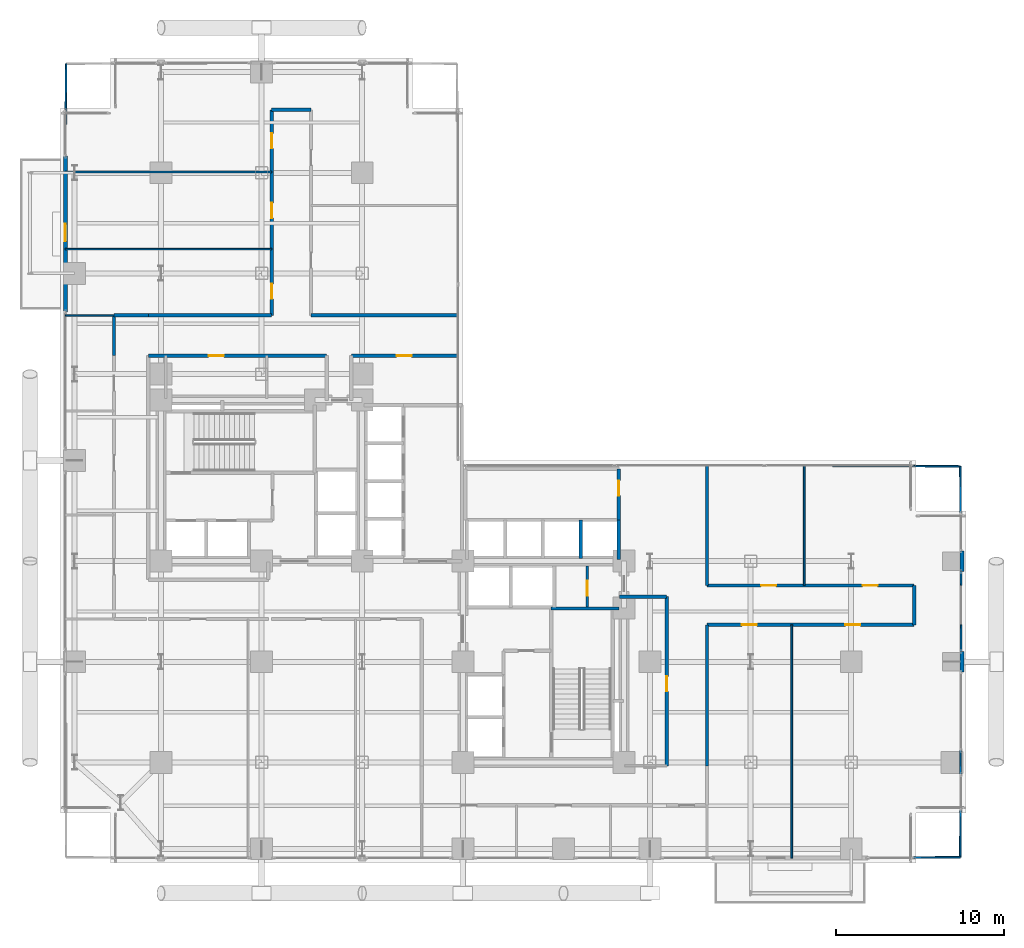
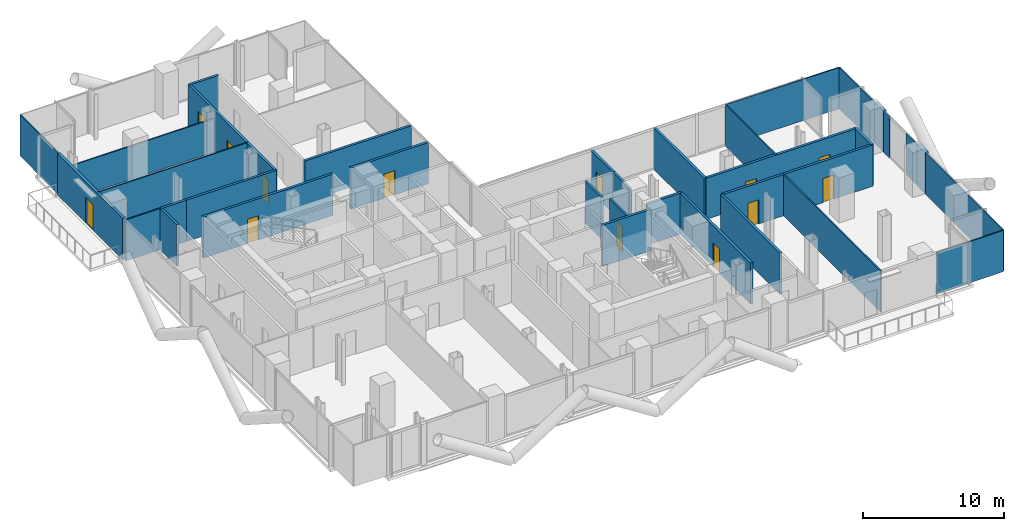
# One storey, part 23 of 27: 35 walls, 13 doors, 13 openings.
"""IFC4 building model written with IfcOpenShell, lengths in metres."""

from ifc_helpers import new_model, si_unit, direction, frame, frame_2d, origin, place, context, subcontext, project, spatial, rectangle, extrude, material, layer, layer_set, type_object, element, fill, save


model = new_model("IFC4")

# Units and contexts
model_context = context("Model", 3, precision=1e-05, world=origin(), true_north=direction((0.0, 1.0)))
body_context = subcontext(model_context, "Body", "Model", "MODEL_VIEW")
ifc_project = project(units=[si_unit("LENGTHUNIT", "METRE"), si_unit("AREAUNIT", "SQUARE_METRE"), si_unit("VOLUMEUNIT", "CUBIC_METRE"), si_unit("PLANEANGLEUNIT", "RADIAN"), si_unit("MASSUNIT", "GRAM", prefix="KILO"), si_unit("THERMODYNAMICTEMPERATUREUNIT", "KELVIN"), si_unit("POWERUNIT", "WATT")], contexts=[model_context])

# Site, building, storey
site_placement = place(None, origin())
site = spatial("IfcSite", under=ifc_project, at=site_placement, CompositionType="ELEMENT")
building_placement = place(site_placement, origin())
building = spatial("IfcBuilding", under=site, at=building_placement, Name="Svarakhadi Broadcast Tower", CompositionType="ELEMENT")
storey_placement = place(building_placement, frame((0.0, 0.0, 90.89990234375)))
storey = spatial("IfcBuildingStorey", under=building, at=storey_placement, Name="L21", CompositionType="ELEMENT", Elevation=90.89990234375)

# Wall, opening, door
ifc_material_1 = material(Name="Concrete C40/50 (IS 456 M50)", Category="concrete")
ifc_layer_1 = layer(ifc_material_1, 0.239990234375)
ifc_layer_set_1 = layer_set([ifc_layer_1], Name="Concrete C40/50 (IS 456 M50)")
wall_type_1 = type_object("IfcWallType", Name="Wall_Ext_240", PredefinedType="SOLIDWALL", material=ifc_layer_set_1)
wall_1_placement = place(storey_placement, frame((0.300048828125, 32.85498046875, 0.0), z_axis=(0.0, 0.0, 1.0), x_axis=(0.0, 1.0, 0.0)))
wall_1 = element("IfcWall", 1, at=wall_1_placement, inside=storey, type_object=wall_type_1, Name="L21 West Tree Balcony Spandrel Wall", PredefinedType="SOLIDWALL", context=body_context, shape_type="SweptSolid", body=[
    extrude(rectangle(XDim=9.2900390625, YDim=0.239990234375, at=frame_2d((4.64501953125, 0.0))), origin(), (0.0, 0.0, 1.0), 3.5751953125),
])
opening_1_placement = place(wall_1_placement, frame((4.199951171875, 0.0, 0.0)))
opening_1 = element("IfcOpeningElement", 2, at=opening_1_placement, cuts=wall_1, Name="Opening ED-06", PredefinedType="OPENING", context=body_context, shape_type="SweptSolid", body=[
    extrude(rectangle(XDim=1.050048828125, YDim=2.199951171875, at=frame_2d((0.52490234375, 1.10009765625))), frame((0.0, 0.1298828125, 0.0), z_axis=(0.0, -1.0, 0.0), x_axis=(1.0, 0.0, 0.0)), (0.0, 0.0, 1.0), 0.260009765625),
])
ifc_material_2 = material(Name="Anodised Bronze Aluminium AA 6063-T6", Category="aluminium")
door_type_1 = type_object("IfcDoorType", Name="Door_Ext_ED06", OperationType="SINGLE_SWING_RIGHT", PredefinedType="DOOR", material=ifc_material_2)
door_1_placement = place(opening_1_placement, origin())
door_1 = element("IfcDoor", 3, at=door_1_placement, inside=storey, type_object=door_type_1, Name="L21 West Tree Balcony Door", OperationType="SINGLE_SWING_RIGHT", OverallHeight=2.199951171875, OverallWidth=1.050048828125, PredefinedType="DOOR", context=body_context, shape_type="SweptSolid", body=[
    extrude(rectangle(XDim=1.050048828125, YDim=2.199951171875, at=frame_2d((0.52490234375, 1.10009765625))), frame((0.0, 0.02490234375, 0.0), z_axis=(0.0, -1.0, 0.0), x_axis=(1.0, 0.0, 0.0)), (0.0, 0.0, 1.0), 0.050048828125),
])
fill(opening_1, door_1)

# Walls
for number, where, z_axis, x_axis, name in (
    (4, (53.760009765625, 18.614990234375, 0.0), (0.0, 0.0, 1.0), (0.0, -1.0, 0.0), "L21 Perimeter Bronze Spandrel Closure Wall 03"),
    (5, (53.760009765625, 12.614990234375, 0.0), (0.0, 0.0, 1.0), (0.0, -1.0, 0.0), "L21 Perimeter Bronze Spandrel Closure Wall 04"),
):
    element("IfcWall", number, at=place(storey_placement, frame(where, z_axis=z_axis, x_axis=x_axis)), inside=storey, type_object=wall_type_1, Name=name, PredefinedType="SOLIDWALL", context=body_context, shape_type="SweptSolid", body=[
        extrude(rectangle(XDim=1.22998046875, YDim=0.239990234375, at=frame_2d((0.614990234375, 0.0))), origin(), (0.0, 0.0, 1.0), 3.5751953125),
    ])

# Wall, opening, door
ifc_layer_2 = layer(ifc_material_1, 0.199951171875)
ifc_layer_set_2 = layer_set([ifc_layer_2], Name="Concrete C40/50 (IS 456 M50)")
wall_type_2 = type_object("IfcWallType", Name="Wall_Fire_200", PredefinedType="SOLIDWALL", material=ifc_layer_set_2)
wall_2_placement = place(storey_placement, frame((36.14990234375, 5.800048828125, 0.0), z_axis=(0.0, 0.0, 1.0), x_axis=(0.0, 1.0, 0.0)))
wall_2 = element("IfcWall", 6, at=wall_2_placement, inside=storey, type_object=wall_type_2, Name="L21 Broadcast Corridor Wall", PredefinedType="SOLIDWALL", context=body_context, shape_type="SweptSolid", body=[
    extrude(rectangle(XDim=10.079833984375, YDim=0.199951171875, at=frame_2d((5.0400390625, 0.0))), origin(), (0.0, 0.0, 1.0), 3.5751953125),
])
opening_2_placement = place(wall_2_placement, frame((4.429931640625, 0.0, 0.0)))
opening_2 = element("IfcOpeningElement", 7, at=opening_2_placement, cuts=wall_2, Name="Opening D-14", PredefinedType="OPENING", context=body_context, shape_type="SweptSolid", body=[
    extrude(rectangle(XDim=0.89990234375, YDim=2.10009765625, at=frame_2d((0.449951171875, 1.050048828125))), frame((0.0, 0.10986328125, 0.0), z_axis=(0.0, -1.0, 0.0), x_axis=(1.0, 0.0, 0.0)), (0.0, 0.0, 1.0), 0.219970703125),
])
ifc_material_3 = material(Name="Solid-Core Teak Veneer Acoustic Timber Leaf", Category="wood")
door_type_2 = type_object("IfcDoorType", Name="Door_Int_D14", OperationType="SINGLE_SWING_LEFT", PredefinedType="DOOR", material=ifc_material_3)
door_2_placement = place(opening_2_placement, origin())
door_2 = element("IfcDoor", 8, at=door_2_placement, inside=storey, type_object=door_type_2, Name="L21 Live Feed Monitoring Studio Door", OperationType="SINGLE_SWING_LEFT", OverallHeight=2.10009765625, OverallWidth=0.89990234375, PredefinedType="DOOR", context=body_context, shape_type="SweptSolid", body=[
    extrude(rectangle(XDim=0.89990234375, YDim=2.10009765625, at=frame_2d((0.449951171875, 1.050048828125))), frame((0.0, 0.02490234375, 0.0), z_axis=(0.0, -1.0, 0.0), x_axis=(1.0, 0.0, 0.0)), (0.0, 0.0, 1.0), 0.050048828125),
])
fill(opening_2, door_2)

# Walls
wall_3_placement = place(storey_placement, frame((36.14990234375, 15.8798828125, 0.0), z_axis=(0.0, 0.0, 1.0), x_axis=(-1.0, 0.0, 0.0)))
element("IfcWall", 9, at=wall_3_placement, inside=storey, type_object=wall_type_2, Name="L21 Broadcast Corridor Wall", PredefinedType="SOLIDWALL", context=body_context, shape_type="SweptSolid", body=[
    extrude(rectangle(XDim=2.809814453125, YDim=0.199951171875, at=frame_2d((1.40478515625, 0.0))), origin(), (0.0, 0.0, 1.0), 3.5751953125),
])
wall_4_placement = place(storey_placement, frame((38.550048828125, 23.699951171875, 0.0), z_axis=(0.0, 0.0, 1.0), x_axis=(0.0, -1.0, 0.0)))
element("IfcWall", 10, at=wall_4_placement, inside=storey, type_object=wall_type_2, Name="L21 Broadcast Corridor Wall", PredefinedType="SOLIDWALL", context=body_context, shape_type="SweptSolid", body=[
    extrude(rectangle(XDim=7.14990234375, YDim=0.199951171875, at=frame_2d((3.574951171875, 0.0))), origin(), (0.0, 0.0, 1.0), 3.5751953125),
])

# Wall, openings, doors
wall_5_placement = place(storey_placement, frame((38.550048828125, 16.550048828125, 0.0), z_axis=(0.0, 0.0, 1.0), x_axis=(1.0, 0.0, 0.0)))
wall_5 = element("IfcWall", 11, at=wall_5_placement, inside=storey, type_object=wall_type_2, Name="L21 Broadcast Corridor Wall", PredefinedType="SOLIDWALL", context=body_context, shape_type="SweptSolid", body=[
    extrude(rectangle(XDim=12.349853515625, YDim=0.199951171875, at=frame_2d((6.1748046875, 0.0))), origin(), (0.0, 0.0, 1.0), 3.5751953125),
])
opening_3_placement = place(wall_5_placement, frame((3.22998046875, 0.0, 0.0)))
opening_3 = element("IfcOpeningElement", 12, at=opening_3_placement, cuts=wall_5, Name="Opening D-15", PredefinedType="OPENING", context=body_context, shape_type="SweptSolid", body=[
    extrude(rectangle(XDim=0.89990234375, YDim=2.10009765625, at=frame_2d((0.449951171875, 1.050048828125))), frame((0.0, 0.10986328125, 0.0), z_axis=(0.0, -1.0, 0.0), x_axis=(1.0, 0.0, 0.0)), (0.0, 0.0, 1.0), 0.219970703125),
])
opening_4_placement = place(wall_5_placement, frame((9.280029296875, 0.0, 0.0)))
opening_4 = element("IfcOpeningElement", 13, at=opening_4_placement, cuts=wall_5, Name="Opening D-14", PredefinedType="OPENING", context=body_context, shape_type="SweptSolid", body=[
    extrude(rectangle(XDim=0.89990234375, YDim=2.10009765625, at=frame_2d((0.449951171875, 1.050048828125))), frame((0.0, 0.10986328125, 0.0), z_axis=(0.0, -1.0, 0.0), x_axis=(1.0, 0.0, 0.0)), (0.0, 0.0, 1.0), 0.219970703125),
])
door_3_placement = place(opening_4_placement, origin())
door_3 = element("IfcDoor", 14, at=door_3_placement, inside=storey, type_object=door_type_2, Name="L21 Broadcast Equipment Operations Room Door", OperationType="SINGLE_SWING_LEFT", OverallHeight=2.10009765625, OverallWidth=0.89990234375, PredefinedType="DOOR", context=body_context, shape_type="SweptSolid", body=[
    extrude(rectangle(XDim=0.89990234375, YDim=2.10009765625, at=frame_2d((0.449951171875, 1.050048828125))), frame((0.0, 0.02490234375, 0.0), z_axis=(0.0, -1.0, 0.0), x_axis=(1.0, 0.0, 0.0)), (0.0, 0.0, 1.0), 0.050048828125),
])
fill(opening_4, door_3)
door_type_3 = type_object("IfcDoorType", Name="Door_Int_D15", OperationType="SINGLE_SWING_RIGHT", PredefinedType="DOOR", material=ifc_material_3)
door_4_placement = place(opening_3_placement, origin())
door_4 = element("IfcDoor", 15, at=door_4_placement, inside=storey, type_object=door_type_3, Name="L21 Broadcast Acoustic Booth Door", OperationType="SINGLE_SWING_RIGHT", OverallHeight=2.10009765625, OverallWidth=0.89990234375, PredefinedType="DOOR", context=body_context, shape_type="SweptSolid", body=[
    extrude(rectangle(XDim=0.89990234375, YDim=2.10009765625, at=frame_2d((0.449951171875, 1.050048828125))), frame((0.0, 0.02490234375, 0.0), z_axis=(0.0, -1.0, 0.0), x_axis=(1.0, 0.0, 0.0)), (0.0, 0.0, 1.0), 0.050048828125),
])
fill(opening_3, door_4)

# Wall
wall_6_placement = place(storey_placement, frame((50.89990234375, 16.550048828125, 0.0), z_axis=(0.0, 0.0, 1.0), x_axis=(0.0, -1.0, 0.0)))
element("IfcWall", 16, at=wall_6_placement, inside=storey, type_object=wall_type_2, Name="L21 Broadcast Corridor Wall", PredefinedType="SOLIDWALL", context=body_context, shape_type="SweptSolid", body=[
    extrude(rectangle(XDim=2.35009765625, YDim=0.199951171875, at=frame_2d((1.175048828125, 0.0))), origin(), (0.0, 0.0, 1.0), 3.5751953125),
])

# Wall, openings, doors
wall_7_placement = place(storey_placement, frame((50.89990234375, 14.199951171875, 0.0), z_axis=(0.0, 0.0, 1.0), x_axis=(-1.0, 0.0, 0.0)))
wall_7 = element("IfcWall", 17, at=wall_7_placement, inside=storey, type_object=wall_type_2, Name="L21 Broadcast Corridor Wall", PredefinedType="SOLIDWALL", context=body_context, shape_type="SweptSolid", body=[
    extrude(rectangle(XDim=12.349853515625, YDim=0.199951171875, at=frame_2d((6.1748046875, 0.0))), origin(), (0.0, 0.0, 1.0), 3.5751953125),
])
opening_5_placement = place(wall_7_placement, frame((9.375, 0.0, 0.0)))
opening_5 = element("IfcOpeningElement", 18, at=opening_5_placement, cuts=wall_7, Name="Opening D-15", PredefinedType="OPENING", context=body_context, shape_type="SweptSolid", body=[
    extrude(rectangle(XDim=0.89990234375, YDim=2.10009765625, at=frame_2d((0.449951171875, 1.050048828125))), frame((0.0, 0.10986328125, 0.0), z_axis=(0.0, -1.0, 0.0), x_axis=(1.0, 0.0, 0.0)), (0.0, 0.0, 1.0), 0.219970703125),
])
opening_6_placement = place(wall_7_placement, frame((3.199951171875, 0.0, 0.0)))
opening_6 = element("IfcOpeningElement", 19, at=opening_6_placement, cuts=wall_7, Name="Opening D-14", PredefinedType="OPENING", context=body_context, shape_type="SweptSolid", body=[
    extrude(rectangle(XDim=0.89990234375, YDim=2.10009765625, at=frame_2d((0.449951171875, 1.050048828125))), frame((0.0, 0.10986328125, 0.0), z_axis=(0.0, -1.0, 0.0), x_axis=(1.0, 0.0, 0.0)), (0.0, 0.0, 1.0), 0.219970703125),
])
door_5_placement = place(opening_6_placement, origin())
door_5 = element("IfcDoor", 20, at=door_5_placement, inside=storey, type_object=door_type_2, Name="L21 Executive Working Dining Salon Door", OperationType="SINGLE_SWING_LEFT", OverallHeight=2.10009765625, OverallWidth=0.89990234375, PredefinedType="DOOR", context=body_context, shape_type="SweptSolid", body=[
    extrude(rectangle(XDim=0.89990234375, YDim=2.10009765625, at=frame_2d((0.449951171875, 1.050048828125))), frame((0.0, 0.02490234375, 0.0), z_axis=(0.0, -1.0, 0.0), x_axis=(1.0, 0.0, 0.0)), (0.0, 0.0, 1.0), 0.050048828125),
])
fill(opening_6, door_5)
door_6_placement = place(opening_5_placement, origin())
door_6 = element("IfcDoor", 21, at=door_6_placement, inside=storey, type_object=door_type_3, Name="L21 Broadcast Legal Counsel Chambers Door", OperationType="SINGLE_SWING_RIGHT", OverallHeight=2.10009765625, OverallWidth=0.89990234375, PredefinedType="DOOR", context=body_context, shape_type="SweptSolid", body=[
    extrude(rectangle(XDim=0.89990234375, YDim=2.10009765625, at=frame_2d((0.449951171875, 1.050048828125))), frame((0.0, 0.02490234375, 0.0), z_axis=(0.0, -1.0, 0.0), x_axis=(1.0, 0.0, 0.0)), (0.0, 0.0, 1.0), 0.050048828125),
])
fill(opening_5, door_6)

# Walls
wall_8_placement = place(storey_placement, frame((38.550048828125, 14.199951171875, 0.0), z_axis=(0.0, 0.0, 1.0), x_axis=(0.0, -1.0, 0.0)))
element("IfcWall", 22, at=wall_8_placement, inside=storey, type_object=wall_type_2, Name="L21 Broadcast Corridor Wall", PredefinedType="SOLIDWALL", context=body_context, shape_type="SweptSolid", body=[
    extrude(rectangle(XDim=8.39990234375, YDim=0.199951171875, at=frame_2d((4.199951171875, 0.0))), origin(), (0.0, 0.0, 1.0), 3.5751953125),
])
wall_9_placement = place(storey_placement, frame((3.199951171875, 30.25, 0.0), z_axis=(0.0, 0.0, 1.0), x_axis=(0.0, 1.0, 0.0)))
element("IfcWall", 23, at=wall_9_placement, inside=storey, type_object=wall_type_2, Name="L21 Broadcast Corridor Wall", PredefinedType="SOLIDWALL", context=body_context, shape_type="SweptSolid", body=[
    extrude(rectangle(XDim=2.39990234375, YDim=0.199951171875, at=frame_2d((1.199951171875, 0.0))), origin(), (0.0, 0.0, 1.0), 3.5751953125),
])
wall_10_placement = place(storey_placement, frame((3.199951171875, 32.64990234375, 0.0), z_axis=(0.0, 0.0, 1.0), x_axis=(1.0, 0.0, 0.0)))
element("IfcWall", 24, at=wall_10_placement, inside=storey, type_object=wall_type_2, Name="L21 Broadcast Corridor Wall", PredefinedType="SOLIDWALL", context=body_context, shape_type="SweptSolid", body=[
    extrude(rectangle(XDim=2.050048828125, YDim=0.199951171875, at=frame_2d((1.02490234375, 0.0))), origin(), (0.0, 0.0, 1.0), 3.5751953125),
])
wall_11_placement = place(storey_placement, frame((5.25, 32.64990234375, 0.0), z_axis=(0.0, 0.0, 1.0), x_axis=(1.0, 0.0, 0.0)))
element("IfcWall", 25, at=wall_11_placement, inside=storey, type_object=wall_type_2, Name="L21 Broadcast Corridor Wall", PredefinedType="SOLIDWALL", context=body_context, shape_type="SweptSolid", body=[
    extrude(rectangle(XDim=7.35009765625, YDim=0.199951171875, at=frame_2d((3.675048828125, 0.0))), origin(), (0.0, 0.0, 1.0), 3.5751953125),
])

# Wall, openings, doors
wall_12_placement = place(storey_placement, frame((12.60009765625, 32.64990234375, 0.0), z_axis=(0.0, 0.0, 1.0), x_axis=(0.0, 1.0, 0.0)))
wall_12 = element("IfcWall", 26, at=wall_12_placement, inside=storey, type_object=wall_type_2, Name="L21 Broadcast Corridor Wall", PredefinedType="SOLIDWALL", context=body_context, shape_type="SweptSolid", body=[
    extrude(rectangle(XDim=12.25, YDim=0.199951171875, at=frame_2d((6.125, 0.0))), origin(), (0.0, 0.0, 1.0), 3.5751953125),
])
opening_7_placement = place(wall_12_placement, frame((0.97998046875, 0.0, 0.0)))
opening_7 = element("IfcOpeningElement", 27, at=opening_7_placement, cuts=wall_12, Name="Opening D-14", PredefinedType="OPENING", context=body_context, shape_type="SweptSolid", body=[
    extrude(rectangle(XDim=0.89990234375, YDim=2.10009765625, at=frame_2d((0.449951171875, 1.050048828125))), frame((0.0, 0.10986328125, 0.0), z_axis=(0.0, -1.0, 0.0), x_axis=(1.0, 0.0, 0.0)), (0.0, 0.0, 1.0), 0.219970703125),
])
opening_8_placement = place(wall_12_placement, frame((5.800048828125, 0.0, 0.0)))
opening_8 = element("IfcOpeningElement", 28, at=opening_8_placement, cuts=wall_12, Name="Opening D-15", PredefinedType="OPENING", context=body_context, shape_type="SweptSolid", body=[
    extrude(rectangle(XDim=0.89990234375, YDim=2.10009765625, at=frame_2d((0.449951171875, 1.050048828125))), frame((0.0, 0.10986328125, 0.0), z_axis=(0.0, -1.0, 0.0), x_axis=(1.0, 0.0, 0.0)), (0.0, 0.0, 1.0), 0.219970703125),
])
opening_9_placement = place(wall_12_placement, frame((9.949951171875, 0.0, 0.0)))
opening_9 = element("IfcOpeningElement", 29, at=opening_9_placement, cuts=wall_12, Name="Opening D-14", PredefinedType="OPENING", context=body_context, shape_type="SweptSolid", body=[
    extrude(rectangle(XDim=0.89990234375, YDim=2.10009765625, at=frame_2d((0.449951171875, 1.050048828125))), frame((0.0, 0.10986328125, 0.0), z_axis=(0.0, -1.0, 0.0), x_axis=(1.0, 0.0, 0.0)), (0.0, 0.0, 1.0), 0.219970703125),
])
door_7_placement = place(opening_7_placement, origin())
door_7 = element("IfcDoor", 30, at=door_7_placement, inside=storey, type_object=door_type_2, Name="L21 Finance Controller Office Door", OperationType="SINGLE_SWING_LEFT", OverallHeight=2.10009765625, OverallWidth=0.89990234375, PredefinedType="DOOR", context=body_context, shape_type="SweptSolid", body=[
    extrude(rectangle(XDim=0.89990234375, YDim=2.10009765625, at=frame_2d((0.449951171875, 1.050048828125))), frame((0.0, 0.02490234375, 0.0), z_axis=(0.0, -1.0, 0.0), x_axis=(1.0, 0.0, 0.0)), (0.0, 0.0, 1.0), 0.050048828125),
])
fill(opening_7, door_7)
door_8_placement = place(opening_9_placement, origin())
door_8 = element("IfcDoor", 31, at=door_8_placement, inside=storey, type_object=door_type_2, Name="L21 Compliance Registry Store Door", OperationType="SINGLE_SWING_LEFT", OverallHeight=2.10009765625, OverallWidth=0.89990234375, PredefinedType="DOOR", context=body_context, shape_type="SweptSolid", body=[
    extrude(rectangle(XDim=0.89990234375, YDim=2.10009765625, at=frame_2d((0.449951171875, 1.050048828125))), frame((0.0, 0.02490234375, 0.0), z_axis=(0.0, -1.0, 0.0), x_axis=(1.0, 0.0, 0.0)), (0.0, 0.0, 1.0), 0.050048828125),
])
fill(opening_9, door_8)
door_9_placement = place(opening_8_placement, origin())
door_9 = element("IfcDoor", 32, at=door_9_placement, inside=storey, type_object=door_type_3, Name="L21 Audit Review Room Door", OperationType="SINGLE_SWING_RIGHT", OverallHeight=2.10009765625, OverallWidth=0.89990234375, PredefinedType="DOOR", context=body_context, shape_type="SweptSolid", body=[
    extrude(rectangle(XDim=0.89990234375, YDim=2.10009765625, at=frame_2d((0.449951171875, 1.050048828125))), frame((0.0, 0.02490234375, 0.0), z_axis=(0.0, -1.0, 0.0), x_axis=(1.0, 0.0, 0.0)), (0.0, 0.0, 1.0), 0.050048828125),
])
fill(opening_8, door_9)

# Walls
wall_13_placement = place(storey_placement, frame((12.60009765625, 44.89990234375, 0.0), z_axis=(0.0, 0.0, 1.0), x_axis=(1.0, 0.0, 0.0)))
element("IfcWall", 33, at=wall_13_placement, inside=storey, type_object=wall_type_2, Name="L21 Broadcast Corridor Wall", PredefinedType="SOLIDWALL", context=body_context, shape_type="SweptSolid", body=[
    extrude(rectangle(XDim=2.349853515625, YDim=0.199951171875, at=frame_2d((1.1748046875, 0.0))), origin(), (0.0, 0.0, 1.0), 3.5751953125),
])
wall_14_placement = place(storey_placement, frame((14.949951171875, 32.64990234375, 0.0), z_axis=(0.0, 0.0, 1.0), x_axis=(1.0, 0.0, 0.0)))
element("IfcWall", 34, at=wall_14_placement, inside=storey, type_object=wall_type_2, Name="L21 Broadcast Corridor Wall", PredefinedType="SOLIDWALL", context=body_context, shape_type="SweptSolid", body=[
    extrude(rectangle(XDim=8.75, YDim=0.199951171875, at=frame_2d((4.375, 0.0))), origin(), (0.0, 0.0, 1.0), 3.5751953125),
])

# Wall, opening, door
wall_15_placement = place(storey_placement, frame((23.699951171875, 30.25, 0.0), z_axis=(0.0, 0.0, 1.0), x_axis=(-1.0, 0.0, 0.0)))
wall_15 = element("IfcWall", 35, at=wall_15_placement, inside=storey, type_object=wall_type_2, Name="L21 Broadcast Corridor Wall", PredefinedType="SOLIDWALL", context=body_context, shape_type="SweptSolid", body=[
    extrude(rectangle(XDim=6.349853515625, YDim=0.199951171875, at=frame_2d((3.1748046875, 0.0))), origin(), (0.0, 0.0, 1.0), 3.5751953125),
])
opening_10_placement = place(wall_15_placement, frame((2.75, 0.0, 0.0)))
opening_10 = element("IfcOpeningElement", 36, at=opening_10_placement, cuts=wall_15, Name="Opening D-15", PredefinedType="OPENING", context=body_context, shape_type="SweptSolid", body=[
    extrude(rectangle(XDim=0.89990234375, YDim=2.10009765625, at=frame_2d((0.449951171875, 1.050048828125))), frame((0.0, 0.10986328125, 0.0), z_axis=(0.0, -1.0, 0.0), x_axis=(1.0, 0.0, 0.0)), (0.0, 0.0, 1.0), 0.219970703125),
])
door_10_placement = place(opening_10_placement, origin())
door_10 = element("IfcDoor", 37, at=door_10_placement, inside=storey, type_object=door_type_3, Name="L21 Production Continuity Office Door", OperationType="SINGLE_SWING_RIGHT", OverallHeight=2.10009765625, OverallWidth=0.89990234375, PredefinedType="DOOR", context=body_context, shape_type="SweptSolid", body=[
    extrude(rectangle(XDim=0.89990234375, YDim=2.10009765625, at=frame_2d((0.449951171875, 1.050048828125))), frame((0.0, 0.02490234375, 0.0), z_axis=(0.0, -1.0, 0.0), x_axis=(1.0, 0.0, 0.0)), (0.0, 0.0, 1.0), 0.050048828125),
])
fill(opening_10, door_10)

wall_16_placement = place(storey_placement, frame((15.8798828125, 30.25, 0.0), z_axis=(0.0, 0.0, 1.0), x_axis=(-1.0, 0.0, 0.0)))
wall_16 = element("IfcWall", 38, at=wall_16_placement, inside=storey, type_object=wall_type_2, Name="L21 Broadcast Corridor Wall", PredefinedType="SOLIDWALL", context=body_context, shape_type="SweptSolid", body=[
    extrude(rectangle(XDim=10.6298828125, YDim=0.199951171875, at=frame_2d((5.31494140625, 0.0))), origin(), (0.0, 0.0, 1.0), 3.5751953125),
])
opening_11_placement = place(wall_16_placement, frame((6.1298828125, 0.0, 0.0)))
opening_11 = element("IfcOpeningElement", 39, at=opening_11_placement, cuts=wall_16, Name="Opening D-12", PredefinedType="OPENING", context=body_context, shape_type="SweptSolid", body=[
    extrude(rectangle(XDim=0.89990234375, YDim=2.10009765625, at=frame_2d((0.449951171875, 1.050048828125))), frame((0.0, 0.10986328125, 0.0), z_axis=(0.0, -1.0, 0.0), x_axis=(1.0, 0.0, 0.0)), (0.0, 0.0, 1.0), 0.219970703125),
])
door_type_4 = type_object("IfcDoorType", Name="Door_WC_D01", OperationType="SINGLE_SWING_LEFT", PredefinedType="DOOR", material=ifc_material_3)
door_11_placement = place(opening_11_placement, origin())
door_11 = element("IfcDoor", 40, at=door_11_placement, inside=storey, type_object=door_type_4, Name="L21 Accessible Toilet WC Door", OperationType="SINGLE_SWING_LEFT", OverallHeight=2.10009765625, OverallWidth=0.89990234375, PredefinedType="DOOR", context=body_context, shape_type="SweptSolid", body=[
    extrude(rectangle(XDim=0.89990234375, YDim=2.10009765625, at=frame_2d((0.449951171875, 1.050048828125))), frame((0.0, 0.02490234375, 0.0), z_axis=(0.0, -1.0, 0.0), x_axis=(1.0, 0.0, 0.0)), (0.0, 0.0, 1.0), 0.050048828125),
])
fill(opening_11, door_11)

# Walls
ifc_material_4 = material(Name="Fire-Rated Moisture-Resistant Gypsum Board Partition", Category="gypsum")
ifc_layer_3 = layer(ifc_material_4, 0.10009765625)
ifc_layer_set_3 = layer_set([ifc_layer_3], Name="Fire-Rated Moisture-Resistant Gypsum Board Partition")
wall_type_3 = type_object("IfcWallType", Name="Wall_Part_100", PredefinedType="PARTITIONING", material=ifc_layer_set_3)
wall_17_placement = place(storey_placement, frame((43.60009765625, 0.300048828125, 0.0), z_axis=(0.0, 0.0, 1.0), x_axis=(0.0, 1.0, 0.0)))
element("IfcWall", 41, at=wall_17_placement, inside=storey, type_object=wall_type_3, Name="L21 Broadcast Legal Counsel Chambers Wall", PredefinedType="PARTITIONING", context=body_context, shape_type="SweptSolid", body=[
    extrude(rectangle(XDim=13.89990234375, YDim=0.10009765625, at=frame_2d((6.949951171875, 0.0))), origin(), (0.0, 0.0, 1.0), 3.5751953125),
])
wall_18_placement = place(storey_placement, frame((48.14501953125, 0.322509765625, 0.0), z_axis=(0.0, 0.0, 1.0), x_axis=(0.999987442515, 0.005011468024, 0.0)))
element("IfcWall", 42, at=wall_18_placement, inside=storey, type_object=wall_type_3, Name="L21 Executive Working Dining Salon Wall", PredefinedType="PARTITIONING", context=body_context, shape_type="SweptSolid", body=[
    extrude(rectangle(XDim=5.5048828125, YDim=0.10009765625, at=frame_2d((2.75244140625, 0.0))), origin(), (0.0, 0.0, 1.0), 3.5751953125),
])
wall_19_placement = place(storey_placement, frame((53.64990234375, 0.35009765625, 0.0), z_axis=(0.0, 0.0, 1.0), x_axis=(0.003606251025, 0.999993497456, 0.0)))
element("IfcWall", 43, at=wall_19_placement, inside=storey, type_object=wall_type_3, Name="L21 Executive Working Dining Salon Wall", PredefinedType="PARTITIONING", context=body_context, shape_type="SweptSolid", body=[
    extrude(rectangle(XDim=11.034912109375, YDim=0.10009765625, at=frame_2d((5.517578125, 0.0))), origin(), (0.0, 0.0, 1.0), 3.5751953125),
])
wall_20_placement = place(storey_placement, frame((53.6943359375, 12.614990234375, 0.0), z_axis=(0.0, 0.0, 1.0), x_axis=(0.003542799701, 0.999993724265, 0.0)))
element("IfcWall", 44, at=wall_20_placement, inside=storey, type_object=wall_type_3, Name="L21 Executive Working Dining Salon Wall", PredefinedType="PARTITIONING", context=body_context, shape_type="SweptSolid", body=[
    extrude(rectangle(XDim=1.5849609375, YDim=0.10009765625, at=frame_2d((0.79248046875, 0.0))), origin(), (0.0, 0.0, 1.0), 3.5751953125),
])
wall_21_placement = place(storey_placement, frame((44.35009765625, 16.550048828125, 0.0), z_axis=(0.0, 0.0, 1.0), x_axis=(0.0, 1.0, 0.0)))
element("IfcWall", 45, at=wall_21_placement, inside=storey, type_object=wall_type_3, Name="L21 Broadcast Acoustic Booth Wall", PredefinedType="PARTITIONING", context=body_context, shape_type="SweptSolid", body=[
    extrude(rectangle(XDim=7.14990234375, YDim=0.10009765625, at=frame_2d((3.574951171875, 0.0))), origin(), (0.0, 0.0, 1.0), 3.5751953125),
])
wall_22_placement = place(storey_placement, frame((44.35009765625, 23.699951171875, 0.0), z_axis=(0.0, 0.0, 1.0), x_axis=(0.999985518927, -0.005381629512, 0.0)))
element("IfcWall", 46, at=wall_22_placement, inside=storey, type_object=wall_type_3, Name="L21 Broadcast Equipment Operations Room Wall", PredefinedType="PARTITIONING", context=body_context, shape_type="SweptSolid", body=[
    extrude(rectangle(XDim=9.300048828125, YDim=0.10009765625, at=frame_2d((4.64990234375, 0.0))), origin(), (0.0, 0.0, 1.0), 3.5751953125),
])
wall_23_placement = place(storey_placement, frame((53.699951171875, 16.550048828125, 0.0), z_axis=(0.0, 0.0, 1.0), x_axis=(-0.007017371073, 0.999975377948, 0.0)))
element("IfcWall", 47, at=wall_23_placement, inside=storey, type_object=wall_type_3, Name="L21 Broadcast Equipment Operations Room Wall", PredefinedType="PARTITIONING", context=body_context, shape_type="SweptSolid", body=[
    extrude(rectangle(XDim=0.8349609375, YDim=0.10009765625, at=frame_2d((0.41748046875, 0.0))), origin(), (0.0, 0.0, 1.0), 3.5751953125),
])
wall_24_placement = place(storey_placement, frame((53.685546875, 18.614990234375, 0.0), z_axis=(0.0, 0.0, 1.0), x_axis=(-0.007079296972, 0.999974941463, 0.0)))
element("IfcWall", 48, at=wall_24_placement, inside=storey, type_object=wall_type_3, Name="L21 Broadcast Equipment Operations Room Wall", PredefinedType="PARTITIONING", context=body_context, shape_type="SweptSolid", body=[
    extrude(rectangle(XDim=5.03515625, YDim=0.10009765625, at=frame_2d((2.517578125, 0.0))), origin(), (0.0, 0.0, 1.0), 3.5751953125),
])
wall_25_placement = place(storey_placement, frame((0.300048828125, 36.60009765625, 0.0), z_axis=(0.0, 0.0, 1.0), x_axis=(1.0, 0.0, 0.0)))
element("IfcWall", 49, at=wall_25_placement, inside=storey, type_object=wall_type_3, Name="L21 Finance Controller Office Wall", PredefinedType="PARTITIONING", context=body_context, shape_type="SweptSolid", body=[
    extrude(rectangle(XDim=12.300048828125, YDim=0.10009765625, at=frame_2d((6.14990234375, 0.0))), origin(), (0.0, 0.0, 1.0), 3.5751953125),
])
wall_26_placement = place(storey_placement, frame((0.300048828125, 41.199951171875, 0.0), z_axis=(0.0, 0.0, 1.0), x_axis=(1.0, 0.0, 0.0)))
element("IfcWall", 50, at=wall_26_placement, inside=storey, type_object=wall_type_3, Name="L21 Audit Review Room Wall", PredefinedType="PARTITIONING", context=body_context, shape_type="SweptSolid", body=[
    extrude(rectangle(XDim=12.300048828125, YDim=0.10009765625, at=frame_2d((6.14990234375, 0.0))), origin(), (0.0, 0.0, 1.0), 2.9169921875),
])
wall_27_placement = place(storey_placement, frame((0.307373046875, 42.14501953125, 0.0), z_axis=(0.0, 0.0, 1.0), x_axis=(0.007760986763, 0.999969883089, 0.0)))
element("IfcWall", 51, at=wall_27_placement, inside=storey, type_object=wall_type_3, Name="L21 Compliance Registry Store Wall", PredefinedType="PARTITIONING", context=body_context, shape_type="SweptSolid", body=[
    extrude(rectangle(XDim=5.505126953125, YDim=0.10009765625, at=frame_2d((2.75244140625, 0.0))), origin(), (0.0, 0.0, 1.0), 3.5751953125),
])
wall_28_placement = place(storey_placement, frame((0.300048828125, 32.64990234375, 0.0), z_axis=(0.0, 0.0, 1.0), x_axis=(1.0, 0.0, 0.0)))
element("IfcWall", 52, at=wall_28_placement, inside=storey, type_object=wall_type_3, Name="L21 Producer Quiet Lounge Wall", PredefinedType="PARTITIONING", context=body_context, shape_type="SweptSolid", body=[
    extrude(rectangle(XDim=2.89990234375, YDim=0.10009765625, at=frame_2d((1.449951171875, 0.0))), origin(), (0.0, 0.0, 1.0), 3.5751953125),
])

# Wall, opening, door
ifc_material_5 = material(Name="Autoclaved Aerated Concrete Blockwork 150 mm", Category="masonry")
ifc_layer_4 = layer(ifc_material_5, 0.14990234375)
ifc_layer_set_4 = layer_set([ifc_layer_4], Name="Autoclaved Aerated Concrete Blockwork 150 mm")
wall_type_4 = type_object("IfcWallType", Name="Wall_Part_150", PredefinedType="PARTITIONING", material=ifc_layer_set_4)
wall_29_placement = place(storey_placement, frame((31.419921875, 15.280029296875, 0.0), z_axis=(0.0, 0.0, 1.0), x_axis=(0.0, 1.0, 0.0)))
wall_29 = element("IfcWall", 53, at=wall_29_placement, inside=storey, type_object=wall_type_4, Name="L21 Core Service Split Wall", PredefinedType="PARTITIONING", context=body_context, shape_type="SweptSolid", body=[
    extrude(rectangle(XDim=2.419921875, YDim=0.14990234375, at=frame_2d((1.2099609375, 0.0))), origin(), (0.0, 0.0, 1.0), 3.5751953125),
])
opening_12_placement = place(wall_29_placement, frame((0.64990234375, 0.0, 0.0)))
opening_12 = element("IfcOpeningElement", 54, at=opening_12_placement, cuts=wall_29, Name="Opening D-04", PredefinedType="OPENING", context=body_context, shape_type="SweptSolid", body=[
    extrude(rectangle(XDim=0.89990234375, YDim=2.14990234375, at=frame_2d((0.449951171875, 1.074951171875))), frame((0.0, 0.0849609375, 0.0), z_axis=(0.0, -1.0, 0.0), x_axis=(1.0, 0.0, 0.0)), (0.0, 0.0, 1.0), 0.169921875),
])
ifc_material_6 = material(Name="Galvanised Powder-Coated Fire-Rated Steel Leaf", Category="steel")
door_type_5 = type_object("IfcDoorType", Name="Door_Fire_D04", OperationType="SINGLE_SWING_RIGHT", PredefinedType="DOOR", material=ifc_material_6)
door_12_placement = place(opening_12_placement, origin())
door_12 = element("IfcDoor", 55, at=door_12_placement, inside=storey, type_object=door_type_5, Name="L21 Core Inner Riser Store Door", OperationType="SINGLE_SWING_RIGHT", OverallHeight=2.14990234375, OverallWidth=0.89990234375, PredefinedType="DOOR", context=body_context, shape_type="SweptSolid", body=[
    extrude(rectangle(XDim=0.89990234375, YDim=2.14990234375, at=frame_2d((0.449951171875, 1.074951171875))), frame((0.0, 0.02490234375, 0.0), z_axis=(0.0, -1.0, 0.0), x_axis=(1.0, 0.0, 0.0)), (0.0, 0.0, 1.0), 0.050048828125),
])
fill(opening_12, door_12)

# Walls
ifc_material_7 = material(Name="Concrete C50/60 (IS 456 M60)", Category="concrete")
ifc_layer_5 = layer(ifc_material_7, 0.199951171875)
ifc_layer_set_5 = layer_set([ifc_layer_5], Name="Concrete C50/60 (IS 456 M60)")
wall_type_5 = type_object("IfcWallType", Name="Wall_Shear_200", PredefinedType="SHEAR", material=ifc_layer_set_5)
wall_30_placement = place(storey_placement, frame((29.260009765625, 15.179931640625, 0.0), z_axis=(0.0, 0.0, 1.0), x_axis=(1.0, 0.0, 0.0)))
element("IfcWall", 56, at=wall_30_placement, inside=storey, type_object=wall_type_5, Name="L21 Stair ST-02 North RC Shaft Wall", PredefinedType="SHEAR", context=body_context, shape_type="SweptSolid", body=[
    extrude(rectangle(XDim=4.0400390625, YDim=0.199951171875, at=frame_2d((2.02001953125, 0.0))), origin(), (0.0, 0.0, 1.0), 3.5751953125),
])
wall_31_placement = place(storey_placement, frame((33.300048828125, 18.10009765625, 0.0), z_axis=(0.0, 0.0, 1.0), x_axis=(0.0, 1.0, 0.0)))
element("IfcWall", 57, at=wall_31_placement, inside=storey, type_object=wall_type_5, Name="L21 Bank B East Shaft Wall", PredefinedType="SHEAR", context=body_context, shape_type="SweptSolid", body=[
    extrude(rectangle(XDim=2.349853515625, YDim=0.199951171875, at=frame_2d((1.1748046875, 0.0))), origin(), (0.0, 0.0, 1.0), 3.5751953125),
])
wall_32_placement = place(storey_placement, frame((31.02001953125, 18.14990234375, 0.0), z_axis=(0.0, 0.0, 1.0), x_axis=(0.0, 1.0, 0.0)))
element("IfcWall", 58, at=wall_32_placement, inside=storey, type_object=wall_type_5, Name="L21 Bank B Divider", PredefinedType="SHEAR", context=body_context, shape_type="SweptSolid", body=[
    extrude(rectangle(XDim=2.300048828125, YDim=0.199951171875, at=frame_2d((1.14990234375, 0.0))), origin(), (0.0, 0.0, 1.0), 3.5751953125),
])

# Wall, opening, door
wall_33_placement = place(storey_placement, frame((33.300048828125, 20.449951171875, 0.0), z_axis=(0.0, 0.0, 1.0), x_axis=(0.0, 1.0, 0.0)))
wall_33 = element("IfcWall", 59, at=wall_33_placement, inside=storey, type_object=wall_type_5, Name="L21 Bank B Lift Hall East Wall", PredefinedType="SHEAR", context=body_context, shape_type="SweptSolid", body=[
    extrude(rectangle(XDim=3.050048828125, YDim=0.199951171875, at=frame_2d((1.52490234375, 0.0))), origin(), (0.0, 0.0, 1.0), 3.5751953125),
])
opening_13_placement = place(wall_33_placement, frame((1.449951171875, 0.0, 0.0)))
opening_13 = element("IfcOpeningElement", 60, at=opening_13_placement, cuts=wall_33, Name="Opening D-04", PredefinedType="OPENING", context=body_context, shape_type="SweptSolid", body=[
    extrude(rectangle(XDim=0.89990234375, YDim=2.14990234375, at=frame_2d((0.449951171875, 1.074951171875))), frame((0.0, 0.10986328125, 0.0), z_axis=(0.0, -1.0, 0.0), x_axis=(1.0, 0.0, 0.0)), (0.0, 0.0, 1.0), 0.219970703125),
])
door_13_placement = place(opening_13_placement, origin())
door_13 = element("IfcDoor", 61, at=door_13_placement, inside=storey, type_object=door_type_5, Name="L21 Mid-Rise Lift Hall East Corridor Door", OperationType="SINGLE_SWING_RIGHT", OverallHeight=2.14990234375, OverallWidth=0.89990234375, PredefinedType="DOOR", context=body_context, shape_type="SweptSolid", body=[
    extrude(rectangle(XDim=0.89990234375, YDim=2.14990234375, at=frame_2d((0.449951171875, 1.074951171875))), frame((0.0, 0.02490234375, 0.0), z_axis=(0.0, -1.0, 0.0), x_axis=(1.0, 0.0, 0.0)), (0.0, 0.0, 1.0), 0.050048828125),
])
fill(opening_13, door_13)

save(model, "model.ifc")
